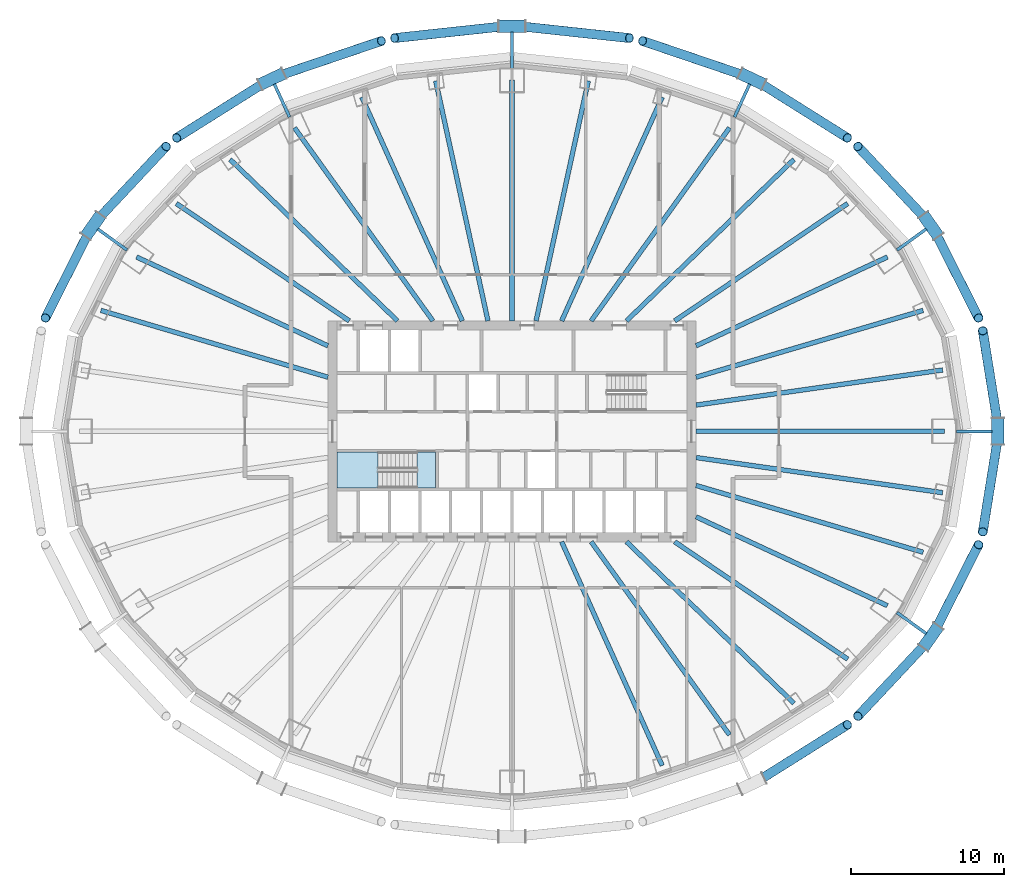
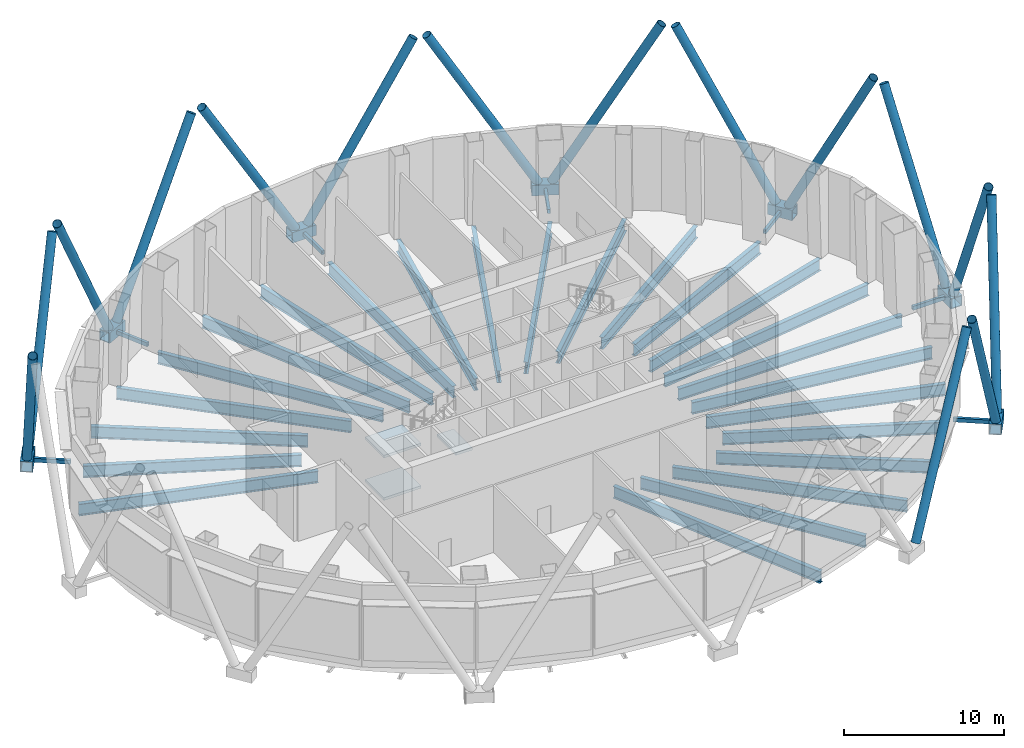
# One storey, part 2 of 13: 29 members, 24 beams, 3 slabs, 1 element without a shape of its own.
"""IFC4 building model written with IfcOpenShell, lengths in metres."""

from ifc_helpers import new_model, si_unit, direction, frame, origin, origin_2d, place, context, subcontext, project, spatial, polyline, hollow_rectangle, hollow_circle, i_section, outline, extrude, material, layer, layer_set, material_profile, profile_set, type_object, element, aggregate, save


model = new_model("IFC4")

# Units and contexts
model_context = context("Model", 3, precision=1e-05, world=origin(), true_north=direction((0.0, 1.0)))
body_context = subcontext(model_context, "Body", "Model", "MODEL_VIEW")
ifc_project = project(units=[si_unit("LENGTHUNIT", "METRE"), si_unit("AREAUNIT", "SQUARE_METRE"), si_unit("VOLUMEUNIT", "CUBIC_METRE"), si_unit("PLANEANGLEUNIT", "RADIAN"), si_unit("MASSUNIT", "GRAM", prefix="KILO")], contexts=[model_context])

# Site, building, storey
site_placement = place(None, origin())
site = spatial("IfcSite", under=ifc_project, at=site_placement, CompositionType="ELEMENT")
building_placement = place(site_placement, origin())
building = spatial("IfcBuilding", under=site, at=building_placement, Name="Siaravel Broadcast Tower", CompositionType="ELEMENT")
storey_placement = place(building_placement, frame((0.0, 0.0, 7.0)))
storey = spatial("IfcBuildingStorey", under=building, at=storey_placement, Name="L01", CompositionType="ELEMENT", Elevation=7.0)

# Beams
ifc_material_1 = material(Name="Steel S355", Category="steel")
ifc_material_profile_1 = material_profile(ifc_material_1, i_section(OverallWidth=0.30322265625, OverallDepth=0.903076171875, WebThickness=0.01513671875, FlangeThickness=0.020263671875, FilletRadius=0.01904296875, at=origin_2d()))
ifc_profile_set_1 = profile_set([ifc_material_profile_1], Name="Steel S355")
beam_type = type_object("IfcBeamType", Name="BM-UB 914x305x201", PredefinedType="BEAM", material=ifc_profile_set_1)
beam_1_placement = place(storey_placement, frame((28.199951171875, 0.0, -0.8515625), z_axis=(-1.0, 0.0, 0.0), x_axis=(0.0, -1.0, 0.0)))
element("IfcBeam", 1, at=beam_1_placement, inside=storey, type_object=beam_type, Name="Radial beam RB01", PredefinedType="BEAM", context=body_context, shape_type="SweptSolid", body=[
    extrude(i_section(OverallWidth=0.30322265625, OverallDepth=0.903076171875, WebThickness=0.01513671875, FlangeThickness=0.020263671875, FilletRadius=0.01904296875, at=origin_2d()), origin(), (0.0, 0.0, 1.0), 16.199951171875),
])
beam_2_placement = place(storey_placement, frame((28.07275390625, 3.999267578125, -0.8515625), z_axis=(-0.990003857, -0.141040286, 0.0), x_axis=(0.141040286, -0.990003857, 0.0)))
element("IfcBeam", 2, at=beam_2_placement, inside=storey, type_object=beam_type, Name="Radial beam RB02", PredefinedType="BEAM", context=body_context, shape_type="SweptSolid", body=[
    extrude(i_section(OverallWidth=0.30322265625, OverallDepth=0.903076171875, WebThickness=0.01513671875, FlangeThickness=0.020263671875, FilletRadius=0.01904296875, at=origin_2d()), origin(), (0.0, 0.0, 1.0), 16.235107421875),
])
beam_3_placement = place(storey_placement, frame((26.802001953125, 7.883544921875, -0.8515625), z_axis=(-0.95936147, -0.282180031, 0.0), x_axis=(0.282180031, -0.95936147, 0.0)))
element("IfcBeam", 3, at=beam_3_placement, inside=storey, type_object=beam_type, Name="Radial beam RB03", PredefinedType="BEAM", context=body_context, shape_type="SweptSolid", body=[
    extrude(i_section(OverallWidth=0.30322265625, OverallDepth=0.903076171875, WebThickness=0.01513671875, FlangeThickness=0.020263671875, FilletRadius=0.01904296875, at=origin_2d()), origin(), (0.0, 0.0, 1.0), 15.428955078125),
])
beam_4_placement = place(storey_placement, frame((24.475341796875, 11.3662109375, -0.8515625), z_axis=(-0.90697192, -0.421191093, 0.0), x_axis=(0.421191093, -0.90697192, 0.0)))
element("IfcBeam", 4, at=beam_4_placement, inside=storey, type_object=beam_type, Name="Radial beam RB04", PredefinedType="BEAM", context=body_context, shape_type="SweptSolid", body=[
    extrude(i_section(OverallWidth=0.30322265625, OverallDepth=0.903076171875, WebThickness=0.01513671875, FlangeThickness=0.020263671875, FilletRadius=0.01904296875, at=origin_2d()), origin(), (0.0, 0.0, 1.0), 13.7548828125),
])
beam_5_placement = place(storey_placement, frame((21.88623046875, 14.8544921875, -0.8515625), z_axis=(-0.827416919, -0.561588143, 0.0), x_axis=(0.561588143, -0.827416919, 0.0)))
element("IfcBeam", 5, at=beam_5_placement, inside=storey, type_object=beam_type, Name="Radial beam RB05", PredefinedType="BEAM", context=body_context, shape_type="SweptSolid", body=[
    extrude(i_section(OverallWidth=0.30322265625, OverallDepth=0.903076171875, WebThickness=0.01513671875, FlangeThickness=0.020263671875, FilletRadius=0.01904296875, at=origin_2d()), origin(), (0.0, 0.0, 1.0), 13.630126953125),
])
beam_6_placement = place(storey_placement, frame((18.380615234375, 17.725830078125, -0.8515625), z_axis=(-0.719814701, -0.69416626, 0.0), x_axis=(0.69416626, -0.719814701, 0.0)))
element("IfcBeam", 6, at=beam_6_placement, inside=storey, type_object=beam_type, Name="Radial beam RB06", PredefinedType="BEAM", context=body_context, shape_type="SweptSolid", body=[
    extrude(i_section(OverallWidth=0.30322265625, OverallDepth=0.903076171875, WebThickness=0.01513671875, FlangeThickness=0.020263671875, FilletRadius=0.01904296875, at=origin_2d()), origin(), (0.0, 0.0, 1.0), 15.163330078125),
])
beam_7_placement = place(storey_placement, frame((14.1796875, 19.790283203125, -0.8515625), z_axis=(-0.582430419, -0.812880561, 0.0), x_axis=(0.812880561, -0.582430419, 0.0)))
element("IfcBeam", 7, at=beam_7_placement, inside=storey, type_object=beam_type, Name="Radial beam RB07", PredefinedType="BEAM", context=body_context, shape_type="SweptSolid", body=[
    extrude(i_section(OverallWidth=0.30322265625, OverallDepth=0.903076171875, WebThickness=0.01513671875, FlangeThickness=0.020263671875, FilletRadius=0.01904296875, at=origin_2d()), origin(), (0.0, 0.0, 1.0), 15.488525390625),
])
beam_8_placement = place(storey_placement, frame((9.79248046875, 21.785888671875, -0.8515625), z_axis=(-0.409973607, -0.912097386, 0.0), x_axis=(0.912097386, -0.409973607, 0.0)))
element("IfcBeam", 8, at=beam_8_placement, inside=storey, type_object=beam_type, Name="Radial beam RB08", PredefinedType="BEAM", context=body_context, shape_type="SweptSolid", body=[
    extrude(i_section(OverallWidth=0.30322265625, OverallDepth=0.903076171875, WebThickness=0.01513671875, FlangeThickness=0.020263671875, FilletRadius=0.01904296875, at=origin_2d()), origin(), (0.0, 0.0, 1.0), 15.99169921875),
])
beam_9_placement = place(storey_placement, frame((4.973388671875, 22.843505859375, -0.8515625), z_axis=(-0.212727188, -0.977111633, 0.0), x_axis=(0.977111633, -0.212727188, 0.0)))
element("IfcBeam", 9, at=beam_9_placement, inside=storey, type_object=beam_type, Name="Radial beam RB09", PredefinedType="BEAM", context=body_context, shape_type="SweptSolid", body=[
    extrude(i_section(OverallWidth=0.30322265625, OverallDepth=0.903076171875, WebThickness=0.01513671875, FlangeThickness=0.020263671875, FilletRadius=0.01904296875, at=origin_2d()), origin(), (0.0, 0.0, 1.0), 16.010009765625),
])
beam_10_placement = place(storey_placement, frame((0.0, 22.89990234375, -0.8515625), z_axis=(0.0, -1.0, 0.0), x_axis=(1.0, 0.0, 0.0)))
element("IfcBeam", 10, at=beam_10_placement, inside=storey, type_object=beam_type, Name="Radial beam RB10", PredefinedType="BEAM", context=body_context, shape_type="SweptSolid", body=[
    extrude(i_section(OverallWidth=0.30322265625, OverallDepth=0.903076171875, WebThickness=0.01513671875, FlangeThickness=0.020263671875, FilletRadius=0.01904296875, at=origin_2d()), origin(), (0.0, 0.0, 1.0), 15.699951171875),
])
beam_11_placement = place(storey_placement, frame((-4.973388671875, 22.843505859375, -0.8515625), z_axis=(0.212727188, -0.977111633, 0.0), x_axis=(0.977111633, 0.212727188, 0.0)))
element("IfcBeam", 11, at=beam_11_placement, inside=storey, type_object=beam_type, Name="Radial beam RB11", PredefinedType="BEAM", context=body_context, shape_type="SweptSolid", body=[
    extrude(i_section(OverallWidth=0.30322265625, OverallDepth=0.903076171875, WebThickness=0.01513671875, FlangeThickness=0.020263671875, FilletRadius=0.01904296875, at=origin_2d()), origin(), (0.0, 0.0, 1.0), 16.010009765625),
])
beam_12_placement = place(storey_placement, frame((-9.79248046875, 21.785888671875, -0.8515625), z_axis=(0.409973607, -0.912097386, 0.0), x_axis=(0.912097386, 0.409973607, 0.0)))
element("IfcBeam", 12, at=beam_12_placement, inside=storey, type_object=beam_type, Name="Radial beam RB12", PredefinedType="BEAM", context=body_context, shape_type="SweptSolid", body=[
    extrude(i_section(OverallWidth=0.30322265625, OverallDepth=0.903076171875, WebThickness=0.01513671875, FlangeThickness=0.020263671875, FilletRadius=0.01904296875, at=origin_2d()), origin(), (0.0, 0.0, 1.0), 15.99169921875),
])
beam_13_placement = place(storey_placement, frame((-14.1796875, 19.790283203125, -0.8515625), z_axis=(0.582430419, -0.812880561, 0.0), x_axis=(0.812880561, 0.582430419, 0.0)))
element("IfcBeam", 13, at=beam_13_placement, inside=storey, type_object=beam_type, Name="Radial beam RB13", PredefinedType="BEAM", context=body_context, shape_type="SweptSolid", body=[
    extrude(i_section(OverallWidth=0.30322265625, OverallDepth=0.903076171875, WebThickness=0.01513671875, FlangeThickness=0.020263671875, FilletRadius=0.01904296875, at=origin_2d()), origin(), (0.0, 0.0, 1.0), 15.488525390625),
])
beam_14_placement = place(storey_placement, frame((-18.380615234375, 17.725830078125, -0.8515625), z_axis=(0.719814701, -0.69416626, 0.0), x_axis=(0.69416626, 0.719814701, 0.0)))
element("IfcBeam", 14, at=beam_14_placement, inside=storey, type_object=beam_type, Name="Radial beam RB14", PredefinedType="BEAM", context=body_context, shape_type="SweptSolid", body=[
    extrude(i_section(OverallWidth=0.30322265625, OverallDepth=0.903076171875, WebThickness=0.01513671875, FlangeThickness=0.020263671875, FilletRadius=0.01904296875, at=origin_2d()), origin(), (0.0, 0.0, 1.0), 15.163330078125),
])
beam_15_placement = place(storey_placement, frame((-21.88623046875, 14.8544921875, -0.8515625), z_axis=(0.827416919, -0.561588143, 0.0), x_axis=(0.561588143, 0.827416919, 0.0)))
element("IfcBeam", 15, at=beam_15_placement, inside=storey, type_object=beam_type, Name="Radial beam RB15", PredefinedType="BEAM", context=body_context, shape_type="SweptSolid", body=[
    extrude(i_section(OverallWidth=0.30322265625, OverallDepth=0.903076171875, WebThickness=0.01513671875, FlangeThickness=0.020263671875, FilletRadius=0.01904296875, at=origin_2d()), origin(), (0.0, 0.0, 1.0), 13.630126953125),
])
beam_16_placement = place(storey_placement, frame((-24.475341796875, 11.3662109375, -0.8515625), z_axis=(0.90697192, -0.421191093, 0.0), x_axis=(0.421191093, 0.90697192, 0.0)))
element("IfcBeam", 16, at=beam_16_placement, inside=storey, type_object=beam_type, Name="Radial beam RB16", PredefinedType="BEAM", context=body_context, shape_type="SweptSolid", body=[
    extrude(i_section(OverallWidth=0.30322265625, OverallDepth=0.903076171875, WebThickness=0.01513671875, FlangeThickness=0.020263671875, FilletRadius=0.01904296875, at=origin_2d()), origin(), (0.0, 0.0, 1.0), 13.7548828125),
])
beam_17_placement = place(storey_placement, frame((-26.802001953125, 7.883544921875, -0.8515625), z_axis=(0.95936147, -0.282180031, 0.0), x_axis=(0.282180031, 0.95936147, 0.0)))
element("IfcBeam", 17, at=beam_17_placement, inside=storey, type_object=beam_type, Name="Radial beam RB17", PredefinedType="BEAM", context=body_context, shape_type="SweptSolid", body=[
    extrude(i_section(OverallWidth=0.30322265625, OverallDepth=0.903076171875, WebThickness=0.01513671875, FlangeThickness=0.020263671875, FilletRadius=0.01904296875, at=origin_2d()), origin(), (0.0, 0.0, 1.0), 15.428955078125),
])
beam_18_placement = place(storey_placement, frame((9.79248046875, -21.785888671875, -0.8515625), z_axis=(-0.409973607, 0.912097386, 0.0), x_axis=(-0.912097386, -0.409973607, 0.0)))
element("IfcBeam", 18, at=beam_18_placement, inside=storey, type_object=beam_type, Name="Radial beam RB30", PredefinedType="BEAM", context=body_context, shape_type="SweptSolid", body=[
    extrude(i_section(OverallWidth=0.30322265625, OverallDepth=0.903076171875, WebThickness=0.01513671875, FlangeThickness=0.020263671875, FilletRadius=0.01904296875, at=origin_2d()), origin(), (0.0, 0.0, 1.0), 15.99169921875),
])
beam_19_placement = place(storey_placement, frame((14.1796875, -19.790283203125, -0.8515625), z_axis=(-0.582430419, 0.812880561, 0.0), x_axis=(-0.812880561, -0.582430419, 0.0)))
element("IfcBeam", 19, at=beam_19_placement, inside=storey, type_object=beam_type, Name="Radial beam RB31", PredefinedType="BEAM", context=body_context, shape_type="SweptSolid", body=[
    extrude(i_section(OverallWidth=0.30322265625, OverallDepth=0.903076171875, WebThickness=0.01513671875, FlangeThickness=0.020263671875, FilletRadius=0.01904296875, at=origin_2d()), origin(), (0.0, 0.0, 1.0), 15.488525390625),
])
beam_20_placement = place(storey_placement, frame((18.380615234375, -17.725830078125, -0.8515625), z_axis=(-0.719814701, 0.69416626, 0.0), x_axis=(-0.69416626, -0.719814701, 0.0)))
element("IfcBeam", 20, at=beam_20_placement, inside=storey, type_object=beam_type, Name="Radial beam RB32", PredefinedType="BEAM", context=body_context, shape_type="SweptSolid", body=[
    extrude(i_section(OverallWidth=0.30322265625, OverallDepth=0.903076171875, WebThickness=0.01513671875, FlangeThickness=0.020263671875, FilletRadius=0.01904296875, at=origin_2d()), origin(), (0.0, 0.0, 1.0), 15.163330078125),
])
beam_21_placement = place(storey_placement, frame((21.88623046875, -14.8544921875, -0.8515625), z_axis=(-0.827416919, 0.561588143, 0.0), x_axis=(-0.561588143, -0.827416919, 0.0)))
element("IfcBeam", 21, at=beam_21_placement, inside=storey, type_object=beam_type, Name="Radial beam RB33", PredefinedType="BEAM", context=body_context, shape_type="SweptSolid", body=[
    extrude(i_section(OverallWidth=0.30322265625, OverallDepth=0.903076171875, WebThickness=0.01513671875, FlangeThickness=0.020263671875, FilletRadius=0.01904296875, at=origin_2d()), origin(), (0.0, 0.0, 1.0), 13.630126953125),
])
beam_22_placement = place(storey_placement, frame((24.475341796875, -11.3662109375, -0.8515625), z_axis=(-0.90697192, 0.421191093, 0.0), x_axis=(-0.421191093, -0.90697192, 0.0)))
element("IfcBeam", 22, at=beam_22_placement, inside=storey, type_object=beam_type, Name="Radial beam RB34", PredefinedType="BEAM", context=body_context, shape_type="SweptSolid", body=[
    extrude(i_section(OverallWidth=0.30322265625, OverallDepth=0.903076171875, WebThickness=0.01513671875, FlangeThickness=0.020263671875, FilletRadius=0.01904296875, at=origin_2d()), origin(), (0.0, 0.0, 1.0), 13.7548828125),
])
beam_23_placement = place(storey_placement, frame((26.802001953125, -7.883544921875, -0.8515625), z_axis=(-0.95936147, 0.282180031, 0.0), x_axis=(-0.282180031, -0.95936147, 0.0)))
element("IfcBeam", 23, at=beam_23_placement, inside=storey, type_object=beam_type, Name="Radial beam RB35", PredefinedType="BEAM", context=body_context, shape_type="SweptSolid", body=[
    extrude(i_section(OverallWidth=0.30322265625, OverallDepth=0.903076171875, WebThickness=0.01513671875, FlangeThickness=0.020263671875, FilletRadius=0.01904296875, at=origin_2d()), origin(), (0.0, 0.0, 1.0), 15.428955078125),
])
beam_24_placement = place(storey_placement, frame((28.07275390625, -3.999267578125, -0.8515625), z_axis=(-0.990003857, 0.141040286, 0.0), x_axis=(-0.141040286, -0.990003857, 0.0)))
element("IfcBeam", 24, at=beam_24_placement, inside=storey, type_object=beam_type, Name="Radial beam RB36", PredefinedType="BEAM", context=body_context, shape_type="SweptSolid", body=[
    extrude(i_section(OverallWidth=0.30322265625, OverallDepth=0.903076171875, WebThickness=0.01513671875, FlangeThickness=0.020263671875, FilletRadius=0.01904296875, at=origin_2d()), origin(), (0.0, 0.0, 1.0), 16.235107421875),
])

# Members
ifc_material_2 = material(Name="Steel S460", Category="steel")
ifc_material_profile_2 = material_profile(ifc_material_2, hollow_circle(Radius=0.304931640625, WallThickness=0.02490234375, at=origin_2d()))
ifc_profile_set_2 = profile_set([ifc_material_profile_2], Name="Steel S460")
member_type_1 = type_object("IfcMemberType", Name="Diagrid diagonal CHS 610x25", PredefinedType="BRACE", material=ifc_profile_set_2)
for number, where, z_axis, x_axis, name in (
    (25, (31.675048828125, -0.435546875, 0.169921875), (-0.071629519, -0.445645428, 0.892339266), (0.987327618, -0.158695228, 0.0), "Diagrid diagonal R01 station 00C"),
    (26, (31.675048828125, 0.435546875, 0.169921875), (-0.071629519, 0.445645428, 0.892339266), (-0.987327618, -0.158695228, 0.0), "Diagrid diagonal R01 station 00A"),
):
    element("IfcMember", number, at=place(storey_placement, frame(where, z_axis=z_axis, x_axis=x_axis)), inside=storey, type_object=member_type_1, Name=name, PredefinedType="BRACE", context=body_context, shape_type="SweptSolid", body=[
        extrude(hollow_circle(Radius=0.304931640625, WallThickness=0.02490234375, at=origin_2d()), origin(), (0.0, 0.0, 1.0), 13.7392578125),
    ])
member_1_placement = place(storey_placement, frame((27.5556640625, 13.0498046875, 0.169921875), z_axis=(0.207474373, -0.410244673, 0.888061762), x_axis=(0.89237135, 0.451301866, 0.0)))
element("IfcMember", 27, at=member_1_placement, inside=storey, type_object=member_type_1, Name="Diagrid diagonal R01 station 06C", PredefinedType="BRACE", context=body_context, shape_type="SweptSolid", body=[
    extrude(hollow_circle(Radius=0.304931640625, WallThickness=0.02490234375, at=origin_2d()), origin(), (0.0, 0.0, 1.0), 13.805419921875),
])
member_2_placement = place(storey_placement, frame((27.053955078125, 13.76171875, 0.169921875), z_axis=(-0.323963938, 0.345778983, 0.880615842), x_axis=(-0.729751838, -0.683712114, 0.0)))
element("IfcMember", 28, at=member_2_placement, inside=storey, type_object=member_type_1, Name="Diagrid diagonal R01 station 06A", PredefinedType="BRACE", context=body_context, shape_type="SweptSolid", body=[
    extrude(hollow_circle(Radius=0.304931640625, WallThickness=0.02490234375, at=origin_2d()), origin(), (0.0, 0.0, 1.0), 13.922119140625),
])
member_3_placement = place(storey_placement, frame((16.042724609375, 22.789306640625, 0.169921875), z_axis=(0.414461923, -0.260436564, 0.872005797), x_axis=(0.532050938, 0.846712347, 0.0)))
element("IfcMember", 29, at=member_3_placement, inside=storey, type_object=member_type_1, Name="Diagrid diagonal R01 station 12C", PredefinedType="BRACE", context=body_context, shape_type="SweptSolid", body=[
    extrude(hollow_circle(Radius=0.304931640625, WallThickness=0.02490234375, at=origin_2d()), origin(), (0.0, 0.0, 1.0), 14.0595703125),
])
member_4_placement = place(storey_placement, frame((15.25537109375, 23.16162109375, 0.169921875), z_axis=(-0.475846045, 0.161410257, 0.864590811), x_axis=(-0.321229402, -0.94700141, 0.0)))
element("IfcMember", 30, at=member_4_placement, inside=storey, type_object=member_type_1, Name="Diagrid diagonal R01 station 12A", PredefinedType="BRACE", context=body_context, shape_type="SweptSolid", body=[
    extrude(hollow_circle(Radius=0.304931640625, WallThickness=0.02490234375, at=origin_2d()), origin(), (0.0, 0.0, 1.0), 14.18017578125),
])
for number, where, z_axis, x_axis, name in (
    (31, (0.435546875, 26.415771484375, 0.169921875), (0.506766616, -0.054636017, 0.860350221), (0.107191796, 0.994238361, 0.0), "Diagrid diagonal R01 station 18C"),
    (32, (-0.435546875, 26.415771484375, 0.169921875), (-0.506766616, -0.054636017, 0.860350221), (0.107191796, -0.994238361, 0.0), "Diagrid diagonal R01 station 18A"),
):
    element("IfcMember", number, at=place(storey_placement, frame(where, z_axis=z_axis, x_axis=x_axis)), inside=storey, type_object=member_type_1, Name=name, PredefinedType="BRACE", context=body_context, shape_type="SweptSolid", body=[
        extrude(hollow_circle(Radius=0.304931640625, WallThickness=0.02490234375, at=origin_2d()), origin(), (0.0, 0.0, 1.0), 14.25),
    ])
member_5_placement = place(storey_placement, frame((-15.25537109375, 23.16162109375, 0.169921875), z_axis=(0.475846045, 0.161410257, 0.864590811), x_axis=(-0.321229402, 0.94700141, 0.0)))
element("IfcMember", 33, at=member_5_placement, inside=storey, type_object=member_type_1, Name="Diagrid diagonal R01 station 24C", PredefinedType="BRACE", context=body_context, shape_type="SweptSolid", body=[
    extrude(hollow_circle(Radius=0.304931640625, WallThickness=0.02490234375, at=origin_2d()), origin(), (0.0, 0.0, 1.0), 14.18017578125),
])
member_6_placement = place(storey_placement, frame((-16.042724609375, 22.789306640625, 0.169921875), z_axis=(-0.414461923, -0.260436564, 0.872005797), x_axis=(0.532050938, -0.846712347, 0.0)))
element("IfcMember", 34, at=member_6_placement, inside=storey, type_object=member_type_1, Name="Diagrid diagonal R01 station 24A", PredefinedType="BRACE", context=body_context, shape_type="SweptSolid", body=[
    extrude(hollow_circle(Radius=0.304931640625, WallThickness=0.02490234375, at=origin_2d()), origin(), (0.0, 0.0, 1.0), 14.0595703125),
])
member_7_placement = place(storey_placement, frame((-27.053955078125, 13.76171875, 0.169921875), z_axis=(0.323963938, 0.345778983, 0.880615842), x_axis=(-0.729751838, 0.683712114, 0.0)))
element("IfcMember", 35, at=member_7_placement, inside=storey, type_object=member_type_1, Name="Diagrid diagonal R01 station 30C", PredefinedType="BRACE", context=body_context, shape_type="SweptSolid", body=[
    extrude(hollow_circle(Radius=0.304931640625, WallThickness=0.02490234375, at=origin_2d()), origin(), (0.0, 0.0, 1.0), 13.922119140625),
])
member_8_placement = place(storey_placement, frame((-27.5556640625, 13.0498046875, 0.169921875), z_axis=(-0.207474373, -0.410244673, 0.888061762), x_axis=(0.89237135, -0.451301866, 0.0)))
element("IfcMember", 36, at=member_8_placement, inside=storey, type_object=member_type_1, Name="Diagrid diagonal R01 station 30A", PredefinedType="BRACE", context=body_context, shape_type="SweptSolid", body=[
    extrude(hollow_circle(Radius=0.304931640625, WallThickness=0.02490234375, at=origin_2d()), origin(), (0.0, 0.0, 1.0), 13.805419921875),
])
member_9_placement = place(storey_placement, frame((16.042724609375, -22.789306640625, 0.169921875), z_axis=(0.414461923, 0.260436564, 0.872005797), x_axis=(-0.532050938, 0.846712347, 0.0)))
element("IfcMember", 37, at=member_9_placement, inside=storey, type_object=member_type_1, Name="Diagrid diagonal R01 station 60A", PredefinedType="BRACE", context=body_context, shape_type="SweptSolid", body=[
    extrude(hollow_circle(Radius=0.304931640625, WallThickness=0.02490234375, at=origin_2d()), origin(), (0.0, 0.0, 1.0), 14.0595703125),
])
member_10_placement = place(storey_placement, frame((27.053955078125, -13.76171875, 0.169921875), z_axis=(-0.323963938, -0.345778983, 0.880615842), x_axis=(0.729751838, -0.683712114, 0.0)))
element("IfcMember", 38, at=member_10_placement, inside=storey, type_object=member_type_1, Name="Diagrid diagonal R01 station 66C", PredefinedType="BRACE", context=body_context, shape_type="SweptSolid", body=[
    extrude(hollow_circle(Radius=0.304931640625, WallThickness=0.02490234375, at=origin_2d()), origin(), (0.0, 0.0, 1.0), 13.922119140625),
])
member_11_placement = place(storey_placement, frame((27.5556640625, -13.0498046875, 0.169921875), z_axis=(0.207474373, 0.410244673, 0.888061762), x_axis=(-0.89237135, 0.451301866, 0.0)))
element("IfcMember", 39, at=member_11_placement, inside=storey, type_object=member_type_1, Name="Diagrid diagonal R01 station 66A", PredefinedType="BRACE", context=body_context, shape_type="SweptSolid", body=[
    extrude(hollow_circle(Radius=0.304931640625, WallThickness=0.02490234375, at=origin_2d()), origin(), (0.0, 0.0, 1.0), 13.805419921875),
])
ifc_material_profile_3 = material_profile(ifc_material_2, hollow_rectangle(XDim=0.800048828125, YDim=0.800048828125, WallThickness=0.050048828125, at=origin_2d()))
ifc_profile_set_3 = profile_set([ifc_material_profile_3], Name="Steel S460")
member_type_2 = type_object("IfcMemberType", Name="Diagrid node BOX 800x800x50", PredefinedType="USERDEFINED", material=ifc_profile_set_3)
member_12_placement = place(storey_placement, frame((31.675048828125, -0.860595703125, -0.199951171875), z_axis=(0.0, 1.0, 0.0), x_axis=(-1.0, 0.0, 0.0)))
element("IfcMember", 40, at=member_12_placement, inside=storey, type_object=member_type_2, Name="Diagrid node R01 station 00", ObjectType="DIAGRID NODE", PredefinedType="USERDEFINED", context=body_context, shape_type="SweptSolid", body=[
    extrude(hollow_rectangle(XDim=0.800048828125, YDim=0.800048828125, WallThickness=0.050048828125, at=origin_2d()), origin(), (0.0, 0.0, 1.0), 1.72119140625),
])
member_13_placement = place(storey_placement, frame((27.800537109375, 12.702392578125, -0.199951171875), z_axis=(-0.576087108, 0.817388307, 0.0), x_axis=(-0.817388307, -0.576087108, 0.0)))
element("IfcMember", 41, at=member_13_placement, inside=storey, type_object=member_type_2, Name="Diagrid node R01 station 06", ObjectType="DIAGRID NODE", PredefinedType="USERDEFINED", context=body_context, shape_type="SweptSolid", body=[
    extrude(hollow_rectangle(XDim=0.800048828125, YDim=0.800048828125, WallThickness=0.050048828125, at=origin_2d()), origin(), (0.0, 0.0, 1.0), 1.720947265625),
])
for number, where, z_axis, x_axis, name in (
    (42, (16.427001953125, 22.607421875, -0.199951171875), (-0.904000505, 0.427531386, 0.0), (-0.427531386, -0.904000505, 0.0), "Diagrid node R01 station 12"),
    (43, (0.860595703125, 26.415771484375, -0.199951171875), (-1.0, 0.0, 0.0), (0.0, -1.0, 0.0), "Diagrid node R01 station 18"),
    (44, (-14.87109375, 23.34326171875, -0.199951171875), (-0.904000505, -0.427531386, 0.0), (0.427531386, -0.904000505, 0.0), "Diagrid node R01 station 24"),
):
    element("IfcMember", number, at=place(storey_placement, frame(where, z_axis=z_axis, x_axis=x_axis)), inside=storey, type_object=member_type_2, Name=name, ObjectType="DIAGRID NODE", PredefinedType="USERDEFINED", context=body_context, shape_type="SweptSolid", body=[
        extrude(hollow_rectangle(XDim=0.800048828125, YDim=0.800048828125, WallThickness=0.050048828125, at=origin_2d()), origin(), (0.0, 0.0, 1.0), 1.72119140625),
    ])
for number, where, z_axis, x_axis, name in (
    (45, (-26.80908203125, 14.109130859375, -0.199951171875), (-0.576087108, -0.817388307, 0.0), (0.817388307, -0.576087108, 0.0), "Diagrid node R01 station 30"),
    (46, (26.80908203125, -14.109130859375, -0.199951171875), (0.576087108, 0.817388307, 0.0), (-0.817388307, 0.576087108, 0.0), "Diagrid node R01 station 66"),
):
    element("IfcMember", number, at=place(storey_placement, frame(where, z_axis=z_axis, x_axis=x_axis)), inside=storey, type_object=member_type_2, Name=name, ObjectType="DIAGRID NODE", PredefinedType="USERDEFINED", context=body_context, shape_type="SweptSolid", body=[
        extrude(hollow_rectangle(XDim=0.800048828125, YDim=0.800048828125, WallThickness=0.050048828125, at=origin_2d()), origin(), (0.0, 0.0, 1.0), 1.720947265625),
    ])
ifc_material_profile_4 = material_profile(ifc_material_2, hollow_rectangle(XDim=0.199951171875, YDim=0.300048828125, WallThickness=0.012451171875, at=origin_2d()))
ifc_profile_set_4 = profile_set([ifc_material_profile_4], Name="Steel S460")
member_type_3 = type_object("IfcMemberType", Name="Diagrid node arm RHS 300x200x12.5", PredefinedType="STRUT", material=ifc_profile_set_4)
member_14_placement = place(storey_placement, frame((28.969970703125, 0.0, -0.199951171875), z_axis=(1.0, 0.0, 0.0), x_axis=(0.0, 1.0, 0.0)))
element("IfcMember", 47, at=member_14_placement, inside=storey, type_object=member_type_3, Name="Node arm R01 station 00", PredefinedType="STRUT", context=body_context, shape_type="SweptSolid", body=[
    extrude(hollow_rectangle(XDim=0.199951171875, YDim=0.300048828125, WallThickness=0.012451171875, at=origin_2d()), origin(), (0.0, 0.0, 1.0), 2.3349609375),
])
member_15_placement = place(storey_placement, frame((25.10009765625, 11.816650390625, -0.199951171875), z_axis=(0.811224559, 0.584734739, 0.0), x_axis=(-0.584734739, 0.811224559, 0.0)))
element("IfcMember", 48, at=member_15_placement, inside=storey, type_object=member_type_3, Name="Node arm R01 station 06", PredefinedType="STRUT", context=body_context, shape_type="SweptSolid", body=[
    extrude(hollow_rectangle(XDim=0.199951171875, YDim=0.300048828125, WallThickness=0.012451171875, at=origin_2d()), origin(), (0.0, 0.0, 1.0), 2.34765625),
])
member_16_placement = place(storey_placement, frame((14.502197265625, 20.489501953125, -0.199951171875), z_axis=(0.418861994, 0.908049905, 0.0), x_axis=(-0.908049905, 0.418861994, 0.0)))
element("IfcMember", 49, at=member_16_placement, inside=storey, type_object=member_type_3, Name="Node arm R01 station 12", PredefinedType="STRUT", context=body_context, shape_type="SweptSolid", body=[
    extrude(hollow_rectangle(XDim=0.199951171875, YDim=0.300048828125, WallThickness=0.012451171875, at=origin_2d()), origin(), (0.0, 0.0, 1.0), 2.36767578125),
])
member_17_placement = place(storey_placement, frame((0.0, 23.669921875, -0.199951171875), z_axis=(0.0, 1.0, 0.0), x_axis=(-1.0, 0.0, 0.0)))
element("IfcMember", 50, at=member_17_placement, inside=storey, type_object=member_type_3, Name="Node arm R01 station 18", PredefinedType="STRUT", context=body_context, shape_type="SweptSolid", body=[
    extrude(hollow_rectangle(XDim=0.199951171875, YDim=0.300048828125, WallThickness=0.012451171875, at=origin_2d()), origin(), (0.0, 0.0, 1.0), 2.375732421875),
])
member_18_placement = place(storey_placement, frame((-14.502197265625, 20.489501953125, -0.199951171875), z_axis=(-0.418861994, 0.908049905, 0.0), x_axis=(-0.908049905, -0.418861994, 0.0)))
element("IfcMember", 51, at=member_18_placement, inside=storey, type_object=member_type_3, Name="Node arm R01 station 24", PredefinedType="STRUT", context=body_context, shape_type="SweptSolid", body=[
    extrude(hollow_rectangle(XDim=0.199951171875, YDim=0.300048828125, WallThickness=0.012451171875, at=origin_2d()), origin(), (0.0, 0.0, 1.0), 2.36767578125),
])
for number, where, z_axis, x_axis, name in (
    (52, (-25.10009765625, 11.816650390625, -0.199951171875), (-0.811224559, 0.584734739, 0.0), (-0.584734739, -0.811224559, 0.0), "Node arm R01 station 30"),
    (53, (25.10009765625, -11.816650390625, -0.199951171875), (0.811224559, -0.584734739, 0.0), (0.584734739, 0.811224559, 0.0), "Node arm R01 station 66"),
):
    element("IfcMember", number, at=place(storey_placement, frame(where, z_axis=z_axis, x_axis=x_axis)), inside=storey, type_object=member_type_3, Name=name, PredefinedType="STRUT", context=body_context, shape_type="SweptSolid", body=[
        extrude(hollow_rectangle(XDim=0.199951171875, YDim=0.300048828125, WallThickness=0.012451171875, at=origin_2d()), origin(), (0.0, 0.0, 1.0), 2.34765625),
    ])

# Stair, slabs
ifc_material_3 = material(Name="Concrete C40/50", Category="concrete")
stair_type = type_object("IfcStairType", Name="Core exit stair", PredefinedType="HALF_TURN_STAIR", material=ifc_material_3)
stair_placement = place(storey_placement, origin())
stair = element("IfcStair", 54, at=stair_placement, inside=storey, type_object=stair_type, Name="L01 Exit stair ST-1", PredefinedType="HALF_TURN_STAIR")
ifc_layer = layer(ifc_material_3, 0.199951171875)
ifc_layer_set = layer_set([ifc_layer], Name="Concrete C40/50")
slab_type = type_object("IfcSlabType", Name="Stair landing", PredefinedType="LANDING", material=ifc_layer_set)
slab_1_placement = place(storey_placement, frame((0.0, 0.0, 1.425048828125)))
slab_1 = element("IfcSlab", 55, at=slab_1_placement, type_object=slab_type, Name="ST-1 landing 1", PredefinedType="LANDING", context=body_context, shape_type="SweptSolid", body=[
    extrude(outline(polyline([(-8.719970703125, -1.35009765625), (-11.39990234375, -1.35009765625), (-11.39990234375, -3.699951171875), (-8.719970703125, -3.699951171875), (-8.719970703125, -1.35009765625)])), origin(), (0.0, 0.0, 1.0), 0.199951171875),
])
slab_2_placement = place(storey_placement, frame((0.0, 0.0, 3.050048828125)))
slab_2 = element("IfcSlab", 56, at=slab_2_placement, type_object=slab_type, Name="ST-1 landing 2", PredefinedType="LANDING", context=body_context, shape_type="SweptSolid", body=[
    extrude(outline(polyline([(-5.0, -1.35009765625), (-6.199951171875, -1.35009765625), (-6.199951171875, -3.699951171875), (-5.0, -3.699951171875), (-5.0, -1.35009765625)])), origin(), (0.0, 0.0, 1.0), 0.199951171875),
])
slab_3_placement = place(storey_placement, frame((0.0, 0.0, 4.675048828125)))
slab_3 = element("IfcSlab", 57, at=slab_3_placement, type_object=slab_type, Name="ST-1 landing 3", PredefinedType="LANDING", context=body_context, shape_type="SweptSolid", body=[
    extrude(outline(polyline([(-8.719970703125, -1.35009765625), (-11.39990234375, -1.35009765625), (-11.39990234375, -3.699951171875), (-8.719970703125, -3.699951171875), (-8.719970703125, -1.35009765625)])), origin(), (0.0, 0.0, 1.0), 0.199951171875),
])
aggregate(stair, [slab_1, slab_2, slab_3])

save(model, "model.ifc")
